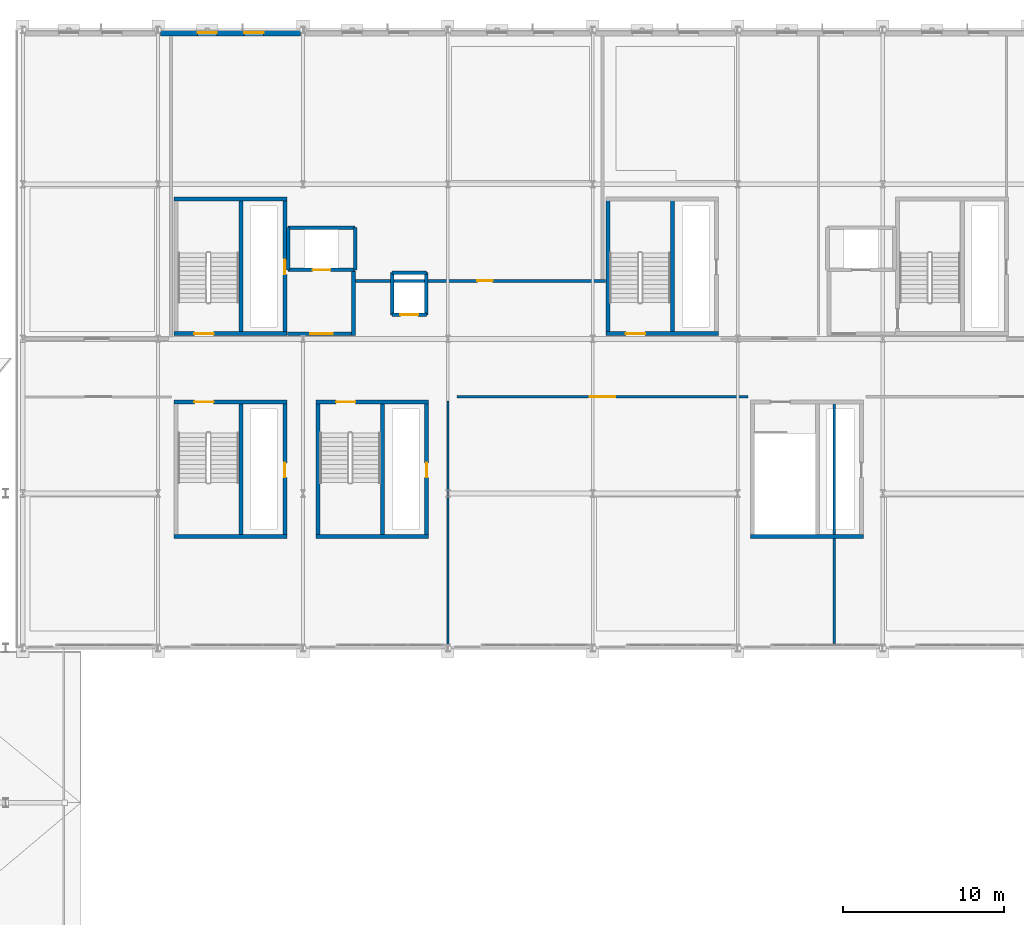
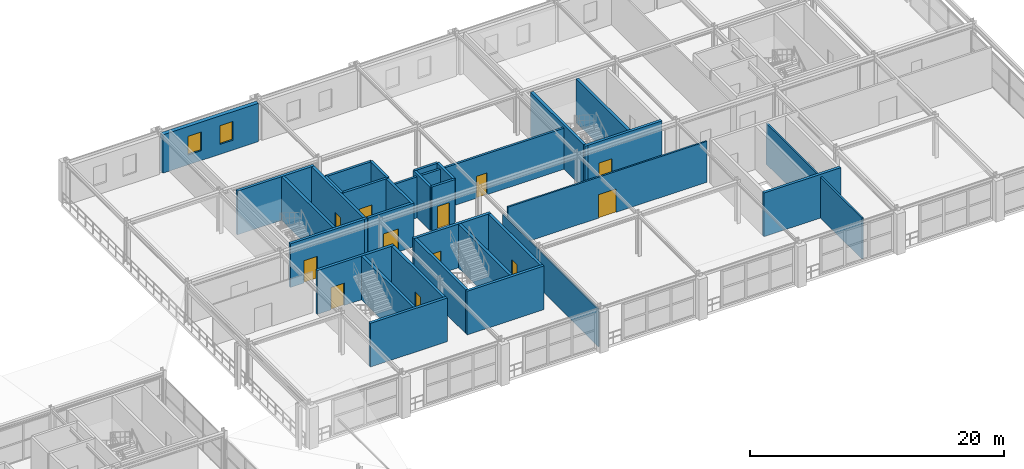
# One storey, part 51 of 81: 32 walls, 12 doors, 2 windows, 14 openings.
"""IFC4 building model written with IfcOpenShell, lengths in metres."""

from ifc_helpers import new_model, si_unit, direction, frame, frame_2d, origin, place, context, subcontext, project, spatial, rectangle, extrude, material, layer, layer_set, type_object, element, fill, save


model = new_model("IFC4")

# Units and contexts
model_context = context("Model", 3, precision=1e-05, world=origin(), true_north=direction((0.0, 1.0)))
body_context = subcontext(model_context, "Body", "Model", "MODEL_VIEW")
ifc_project = project(units=[si_unit("LENGTHUNIT", "METRE"), si_unit("AREAUNIT", "SQUARE_METRE"), si_unit("VOLUMEUNIT", "CUBIC_METRE"), si_unit("PLANEANGLEUNIT", "RADIAN"), si_unit("MASSUNIT", "GRAM", prefix="KILO")], contexts=[model_context])

# Site, building, storey
site_placement = place(None, origin())
site = spatial("IfcSite", under=ifc_project, at=site_placement, CompositionType="ELEMENT")
building_placement = place(site_placement, origin())
building = spatial("IfcBuilding", under=site, at=building_placement, Name="Myrtia Square Station", CompositionType="ELEMENT")
storey_placement = place(building_placement, frame((0.0, 0.0, 10.800048828125)))
storey = spatial("IfcBuildingStorey", under=building, at=storey_placement, Name="L02", CompositionType="ELEMENT", Elevation=10.800048828125)

# Wall, opening, door
ifc_material_1 = material(Name="Concrete C35/45", Category="concrete")
ifc_layer_1 = layer(ifc_material_1, 0.25, Name="Concrete C35/45")
ifc_layer_set_1 = layer_set([ifc_layer_1], Name="Concrete C35/45")
wall_type_1 = type_object("IfcWallType", Name="WL-CORE-250", PredefinedType="SHEAR", material=ifc_layer_set_1)
wall_1_placement = place(storey_placement, frame((127.0, 105.925048828125, 0.0), z_axis=(0.0, 0.0, 1.0), x_axis=(1.0, 0.0, 0.0)))
wall_1 = element("IfcWall", 1, at=wall_1_placement, inside=storey, type_object=wall_type_1, Name="Core K7 shear wall L02 S", PredefinedType="SHEAR", context=body_context, shape_type="SweptSolid", body=[
    extrude(rectangle(XDim=7.0, YDim=0.25, at=frame_2d((3.5, 0.0))), origin(), (0.0, 0.0, 1.0), 4.199951171875),
])
opening_1_placement = place(wall_1_placement, frame((1.25, 0.0, 0.0)))
opening_1 = element("IfcOpeningElement", 2, at=opening_1_placement, cuts=wall_1, Name="Opening SD-116", PredefinedType="OPENING", context=body_context, shape_type="SweptSolid", body=[
    extrude(rectangle(XDim=1.199951171875, YDim=2.14990234375, at=frame_2d((0.60009765625, 1.074951171875))), frame((0.0, 0.139892578125, 0.0), z_axis=(0.0, -1.0, 0.0), x_axis=(1.0, 0.0, 0.0)), (0.0, 0.0, 1.0), 0.280029296875),
])
ifc_material_2 = material(Name="Dark bronze anodised aluminium", Category="aluminium")
door_type_1 = type_object("IfcDoorType", Name="DR-STAIR-1200x2150", OperationType="NOTDEFINED", PredefinedType="DOOR", material=ifc_material_2)
door_1_placement = place(opening_1_placement, origin())
door_1 = element("IfcDoor", 3, at=door_1_placement, inside=storey, type_object=door_type_1, Name="Protected stair fire door K7 L02", OperationType="SINGLE_SWING_RIGHT", OverallHeight=2.14990234375, OverallWidth=1.199951171875, PredefinedType="DOOR", context=body_context, shape_type="SweptSolid", body=[
    extrude(rectangle(XDim=1.199951171875, YDim=2.14990234375, at=frame_2d((0.60009765625, 1.074951171875))), frame((0.0, 0.02490234375, 0.0), z_axis=(0.0, -1.0, 0.0), x_axis=(1.0, 0.0, 0.0)), (0.0, 0.0, 1.0), 0.050048828125),
])
fill(opening_1, door_1)

# Wall
wall_2_placement = place(storey_placement, frame((127.0, 114.27490234375, 0.0), z_axis=(0.0, 0.0, 1.0), x_axis=(1.0, 0.0, 0.0)))
element("IfcWall", 4, at=wall_2_placement, inside=storey, type_object=wall_type_1, Name="Core K7 shear wall L02 N", PredefinedType="SHEAR", context=body_context, shape_type="SweptSolid", body=[
    extrude(rectangle(XDim=7.0, YDim=0.25, at=frame_2d((3.5, 0.0))), origin(), (0.0, 0.0, 1.0), 4.199951171875),
])

# Wall, opening, door
wall_3_placement = place(storey_placement, frame((133.875, 105.800048828125, 0.0), z_axis=(0.0, 0.0, 1.0), x_axis=(0.0, 1.0, 0.0)))
wall_3 = element("IfcWall", 5, at=wall_3_placement, inside=storey, type_object=wall_type_1, Name="Core K7 shear wall L02 E", PredefinedType="SHEAR", context=body_context, shape_type="SweptSolid", body=[
    extrude(rectangle(XDim=8.599853515625, YDim=0.25, at=frame_2d((4.2998046875, 0.0))), origin(), (0.0, 0.0, 1.0), 4.199951171875),
])
opening_2_placement = place(wall_3_placement, frame((3.800048828125, 0.0, 0.0)))
opening_2 = element("IfcOpeningElement", 6, at=opening_2_placement, cuts=wall_3, Name="Opening RD-117", PredefinedType="OPENING", context=body_context, shape_type="SweptSolid", body=[
    extrude(rectangle(XDim=0.89990234375, YDim=2.050048828125, at=frame_2d((0.449951171875, 1.02490234375))), frame((0.0, 0.139892578125, 0.0), z_axis=(0.0, -1.0, 0.0), x_axis=(1.0, 0.0, 0.0)), (0.0, 0.0, 1.0), 0.280029296875),
])
door_type_2 = type_object("IfcDoorType", Name="DR-RISER-900x2050", OperationType="NOTDEFINED", PredefinedType="DOOR", material=ifc_material_2)
door_2_placement = place(opening_2_placement, origin())
door_2 = element("IfcDoor", 7, at=door_2_placement, inside=storey, type_object=door_type_2, Name="Riser cupboard access door K7 L02", OperationType="SINGLE_SWING_LEFT", OverallHeight=2.050048828125, OverallWidth=0.89990234375, PredefinedType="DOOR", context=body_context, shape_type="SweptSolid", body=[
    extrude(rectangle(XDim=0.89990234375, YDim=2.050048828125, at=frame_2d((0.449951171875, 1.02490234375))), frame((0.0, 0.02490234375, 0.0), z_axis=(0.0, -1.0, 0.0), x_axis=(1.0, 0.0, 0.0)), (0.0, 0.0, 1.0), 0.050048828125),
])
fill(opening_2, door_2)

# Walls
wall_4_placement = place(storey_placement, frame((131.139892578125, 106.0, 0.0), z_axis=(0.0, 0.0, 1.0), x_axis=(0.0, 1.0, 0.0)))
element("IfcWall", 8, at=wall_4_placement, inside=storey, type_object=wall_type_1, Name="Core K7 shear wall L02 D", PredefinedType="SHEAR", context=body_context, shape_type="SweptSolid", body=[
    extrude(rectangle(XDim=8.199951171875, YDim=0.25, at=frame_2d((4.10009765625, 0.0))), origin(), (0.0, 0.0, 1.0), 4.199951171875),
])
wall_5_placement = place(storey_placement, frame((127.0, 93.324951171875, 0.0), z_axis=(0.0, 0.0, 1.0), x_axis=(1.0, 0.0, 0.0)))
element("IfcWall", 9, at=wall_5_placement, inside=storey, type_object=wall_type_1, Name="Core K12 shear wall L02 S", PredefinedType="SHEAR", context=body_context, shape_type="SweptSolid", body=[
    extrude(rectangle(XDim=7.0, YDim=0.25, at=frame_2d((3.5, 0.0))), origin(), (0.0, 0.0, 1.0), 4.199951171875),
])

# Wall, opening, door
wall_6_placement = place(storey_placement, frame((127.0, 101.675048828125, 0.0), z_axis=(0.0, 0.0, 1.0), x_axis=(1.0, 0.0, 0.0)))
wall_6 = element("IfcWall", 10, at=wall_6_placement, inside=storey, type_object=wall_type_1, Name="Core K12 shear wall L02 N", PredefinedType="SHEAR", context=body_context, shape_type="SweptSolid", body=[
    extrude(rectangle(XDim=7.0, YDim=0.25, at=frame_2d((3.5, 0.0))), origin(), (0.0, 0.0, 1.0), 4.199951171875),
])
opening_3_placement = place(wall_6_placement, frame((1.25, 0.0, 0.0)))
opening_3 = element("IfcOpeningElement", 11, at=opening_3_placement, cuts=wall_6, Name="Opening SD-149", PredefinedType="OPENING", context=body_context, shape_type="SweptSolid", body=[
    extrude(rectangle(XDim=1.199951171875, YDim=2.14990234375, at=frame_2d((0.60009765625, 1.074951171875))), frame((0.0, 0.139892578125, 0.0), z_axis=(0.0, -1.0, 0.0), x_axis=(1.0, 0.0, 0.0)), (0.0, 0.0, 1.0), 0.280029296875),
])
door_3_placement = place(opening_3_placement, frame((1.199951171875, 0.0, 0.0), z_axis=(0.0, 0.0, 1.0), x_axis=(-1.0, 0.0, 0.0)))
door_3 = element("IfcDoor", 12, at=door_3_placement, inside=storey, type_object=door_type_1, Name="Protected stair fire door K12 L02", OperationType="SINGLE_SWING_LEFT", OverallHeight=2.14990234375, OverallWidth=1.199951171875, PredefinedType="DOOR", context=body_context, shape_type="SweptSolid", body=[
    extrude(rectangle(XDim=1.199951171875, YDim=2.14990234375, at=frame_2d((0.60009765625, 1.074951171875))), frame((0.0, 0.02490234375, 0.0), z_axis=(0.0, -1.0, 0.0), x_axis=(1.0, 0.0, 0.0)), (0.0, 0.0, 1.0), 0.050048828125),
])
fill(opening_3, door_3)

wall_7_placement = place(storey_placement, frame((133.875, 93.199951171875, 0.0), z_axis=(0.0, 0.0, 1.0), x_axis=(0.0, 1.0, 0.0)))
wall_7 = element("IfcWall", 13, at=wall_7_placement, inside=storey, type_object=wall_type_1, Name="Core K12 shear wall L02 E", PredefinedType="SHEAR", context=body_context, shape_type="SweptSolid", body=[
    extrude(rectangle(XDim=8.60009765625, YDim=0.25, at=frame_2d((4.300048828125, 0.0))), origin(), (0.0, 0.0, 1.0), 4.199951171875),
])
opening_4_placement = place(wall_7_placement, frame((3.800048828125, 0.0, 0.0)))
opening_4 = element("IfcOpeningElement", 14, at=opening_4_placement, cuts=wall_7, Name="Opening RD-150", PredefinedType="OPENING", context=body_context, shape_type="SweptSolid", body=[
    extrude(rectangle(XDim=0.89990234375, YDim=2.050048828125, at=frame_2d((0.449951171875, 1.02490234375))), frame((0.0, 0.139892578125, 0.0), z_axis=(0.0, -1.0, 0.0), x_axis=(1.0, 0.0, 0.0)), (0.0, 0.0, 1.0), 0.280029296875),
])
door_4_placement = place(opening_4_placement, origin())
door_4 = element("IfcDoor", 15, at=door_4_placement, inside=storey, type_object=door_type_2, Name="Riser cupboard access door K12 L02", OperationType="SINGLE_SWING_RIGHT", OverallHeight=2.050048828125, OverallWidth=0.89990234375, PredefinedType="DOOR", context=body_context, shape_type="SweptSolid", body=[
    extrude(rectangle(XDim=0.89990234375, YDim=2.050048828125, at=frame_2d((0.449951171875, 1.02490234375))), frame((0.0, 0.02490234375, 0.0), z_axis=(0.0, -1.0, 0.0), x_axis=(1.0, 0.0, 0.0)), (0.0, 0.0, 1.0), 0.050048828125),
])
fill(opening_4, door_4)

# Walls
wall_8_placement = place(storey_placement, frame((131.139892578125, 93.39990234375, 0.0), z_axis=(0.0, 0.0, 1.0), x_axis=(0.0, 1.0, 0.0)))
element("IfcWall", 16, at=wall_8_placement, inside=storey, type_object=wall_type_1, Name="Core K12 shear wall L02 D", PredefinedType="SHEAR", context=body_context, shape_type="SweptSolid", body=[
    extrude(rectangle(XDim=8.2001953125, YDim=0.25, at=frame_2d((4.10009765625, 0.0))), origin(), (0.0, 0.0, 1.0), 4.199951171875),
])
wall_9_placement = place(storey_placement, frame((135.800048828125, 93.324951171875, 0.0), z_axis=(0.0, 0.0, 1.0), x_axis=(1.0, 0.0, 0.0)))
element("IfcWall", 17, at=wall_9_placement, inside=storey, type_object=wall_type_1, Name="Core K13 shear wall L02 S", PredefinedType="SHEAR", context=body_context, shape_type="SweptSolid", body=[
    extrude(rectangle(XDim=7.0, YDim=0.25, at=frame_2d((3.5, 0.0))), origin(), (0.0, 0.0, 1.0), 4.199951171875),
])

# Wall, opening, door
wall_10_placement = place(storey_placement, frame((135.800048828125, 101.675048828125, 0.0), z_axis=(0.0, 0.0, 1.0), x_axis=(1.0, 0.0, 0.0)))
wall_10 = element("IfcWall", 18, at=wall_10_placement, inside=storey, type_object=wall_type_1, Name="Core K13 shear wall L02 N", PredefinedType="SHEAR", context=body_context, shape_type="SweptSolid", body=[
    extrude(rectangle(XDim=7.0, YDim=0.25, at=frame_2d((3.5, 0.0))), origin(), (0.0, 0.0, 1.0), 4.199951171875),
])
opening_5_placement = place(wall_10_placement, frame((1.25, 0.0, 0.0)))
opening_5 = element("IfcOpeningElement", 19, at=opening_5_placement, cuts=wall_10, Name="Opening SD-159", PredefinedType="OPENING", context=body_context, shape_type="SweptSolid", body=[
    extrude(rectangle(XDim=1.199951171875, YDim=2.14990234375, at=frame_2d((0.60009765625, 1.074951171875))), frame((0.0, 0.139892578125, 0.0), z_axis=(0.0, -1.0, 0.0), x_axis=(1.0, 0.0, 0.0)), (0.0, 0.0, 1.0), 0.280029296875),
])
door_5_placement = place(opening_5_placement, frame((1.199951171875, 0.0, 0.0), z_axis=(0.0, 0.0, 1.0), x_axis=(-1.0, 0.0, 0.0)))
door_5 = element("IfcDoor", 20, at=door_5_placement, inside=storey, type_object=door_type_1, Name="Protected stair fire door K13 L02", OperationType="SINGLE_SWING_LEFT", OverallHeight=2.14990234375, OverallWidth=1.199951171875, PredefinedType="DOOR", context=body_context, shape_type="SweptSolid", body=[
    extrude(rectangle(XDim=1.199951171875, YDim=2.14990234375, at=frame_2d((0.60009765625, 1.074951171875))), frame((0.0, 0.02490234375, 0.0), z_axis=(0.0, -1.0, 0.0), x_axis=(1.0, 0.0, 0.0)), (0.0, 0.0, 1.0), 0.050048828125),
])
fill(opening_5, door_5)

# Wall
wall_11_placement = place(storey_placement, frame((135.925048828125, 93.199951171875, 0.0), z_axis=(0.0, 0.0, 1.0), x_axis=(0.0, 1.0, 0.0)))
element("IfcWall", 21, at=wall_11_placement, inside=storey, type_object=wall_type_1, Name="Core K13 shear wall L02 W", PredefinedType="SHEAR", context=body_context, shape_type="SweptSolid", body=[
    extrude(rectangle(XDim=8.60009765625, YDim=0.25, at=frame_2d((4.300048828125, 0.0))), origin(), (0.0, 0.0, 1.0), 4.199951171875),
])

# Wall, opening, door
wall_12_placement = place(storey_placement, frame((142.675048828125, 93.199951171875, 0.0), z_axis=(0.0, 0.0, 1.0), x_axis=(0.0, 1.0, 0.0)))
wall_12 = element("IfcWall", 22, at=wall_12_placement, inside=storey, type_object=wall_type_1, Name="Core K13 shear wall L02 E", PredefinedType="SHEAR", context=body_context, shape_type="SweptSolid", body=[
    extrude(rectangle(XDim=8.60009765625, YDim=0.25, at=frame_2d((4.300048828125, 0.0))), origin(), (0.0, 0.0, 1.0), 4.199951171875),
])
opening_6_placement = place(wall_12_placement, frame((3.800048828125, 0.0, 0.0)))
opening_6 = element("IfcOpeningElement", 23, at=opening_6_placement, cuts=wall_12, Name="Opening RD-160", PredefinedType="OPENING", context=body_context, shape_type="SweptSolid", body=[
    extrude(rectangle(XDim=0.89990234375, YDim=2.050048828125, at=frame_2d((0.449951171875, 1.02490234375))), frame((0.0, 0.139892578125, 0.0), z_axis=(0.0, -1.0, 0.0), x_axis=(1.0, 0.0, 0.0)), (0.0, 0.0, 1.0), 0.280029296875),
])
door_6_placement = place(opening_6_placement, origin())
door_6 = element("IfcDoor", 24, at=door_6_placement, inside=storey, type_object=door_type_2, Name="Riser cupboard access door K13 L02", OperationType="SINGLE_SWING_RIGHT", OverallHeight=2.050048828125, OverallWidth=0.89990234375, PredefinedType="DOOR", context=body_context, shape_type="SweptSolid", body=[
    extrude(rectangle(XDim=0.89990234375, YDim=2.050048828125, at=frame_2d((0.449951171875, 1.02490234375))), frame((0.0, 0.02490234375, 0.0), z_axis=(0.0, -1.0, 0.0), x_axis=(1.0, 0.0, 0.0)), (0.0, 0.0, 1.0), 0.050048828125),
])
fill(opening_6, door_6)

# Wall
wall_13_placement = place(storey_placement, frame((139.93994140625, 93.39990234375, 0.0), z_axis=(0.0, 0.0, 1.0), x_axis=(0.0, 1.0, 0.0)))
element("IfcWall", 25, at=wall_13_placement, inside=storey, type_object=wall_type_1, Name="Core K13 shear wall L02 D", PredefinedType="SHEAR", context=body_context, shape_type="SweptSolid", body=[
    extrude(rectangle(XDim=8.2001953125, YDim=0.25, at=frame_2d((4.10009765625, 0.0))), origin(), (0.0, 0.0, 1.0), 4.199951171875),
])

# Wall, opening, door
wall_14_placement = place(storey_placement, frame((153.800048828125, 105.925048828125, 0.0), z_axis=(0.0, 0.0, 1.0), x_axis=(1.0, 0.0, 0.0)))
wall_14 = element("IfcWall", 26, at=wall_14_placement, inside=storey, type_object=wall_type_1, Name="Core K15 shear wall L02 S", PredefinedType="SHEAR", context=body_context, shape_type="SweptSolid", body=[
    extrude(rectangle(XDim=7.0, YDim=0.25, at=frame_2d((3.5, 0.0))), origin(), (0.0, 0.0, 1.0), 4.199951171875),
])
opening_7_placement = place(wall_14_placement, frame((1.25, 0.0, 0.0)))
opening_7 = element("IfcOpeningElement", 27, at=opening_7_placement, cuts=wall_14, Name="Opening SD-169", PredefinedType="OPENING", context=body_context, shape_type="SweptSolid", body=[
    extrude(rectangle(XDim=1.199951171875, YDim=2.14990234375, at=frame_2d((0.60009765625, 1.074951171875))), frame((0.0, 0.139892578125, 0.0), z_axis=(0.0, -1.0, 0.0), x_axis=(1.0, 0.0, 0.0)), (0.0, 0.0, 1.0), 0.280029296875),
])
door_7_placement = place(opening_7_placement, origin())
door_7 = element("IfcDoor", 28, at=door_7_placement, inside=storey, type_object=door_type_1, Name="Protected stair fire door K15 L02", OperationType="SINGLE_SWING_LEFT", OverallHeight=2.14990234375, OverallWidth=1.199951171875, PredefinedType="DOOR", context=body_context, shape_type="SweptSolid", body=[
    extrude(rectangle(XDim=1.199951171875, YDim=2.14990234375, at=frame_2d((0.60009765625, 1.074951171875))), frame((0.0, 0.02490234375, 0.0), z_axis=(0.0, -1.0, 0.0), x_axis=(1.0, 0.0, 0.0)), (0.0, 0.0, 1.0), 0.050048828125),
])
fill(opening_7, door_7)

# Walls
wall_15_placement = place(storey_placement, frame((153.925048828125, 105.800048828125, 0.0), z_axis=(0.0, 0.0, 1.0), x_axis=(0.0, 1.0, 0.0)))
element("IfcWall", 29, at=wall_15_placement, inside=storey, type_object=wall_type_1, Name="Core K15 shear wall L02 W", PredefinedType="SHEAR", context=body_context, shape_type="SweptSolid", body=[
    extrude(rectangle(XDim=8.599853515625, YDim=0.25, at=frame_2d((4.2998046875, 0.0))), origin(), (0.0, 0.0, 1.0), 4.199951171875),
])
wall_16_placement = place(storey_placement, frame((157.93994140625, 106.0, 0.0), z_axis=(0.0, 0.0, 1.0), x_axis=(0.0, 1.0, 0.0)))
element("IfcWall", 30, at=wall_16_placement, inside=storey, type_object=wall_type_1, Name="Core K15 shear wall L02 D", PredefinedType="SHEAR", context=body_context, shape_type="SweptSolid", body=[
    extrude(rectangle(XDim=8.199951171875, YDim=0.25, at=frame_2d((4.10009765625, 0.0))), origin(), (0.0, 0.0, 1.0), 4.199951171875),
])
wall_17_placement = place(storey_placement, frame((162.800048828125, 93.324951171875, 0.0), z_axis=(0.0, 0.0, 1.0), x_axis=(1.0, 0.0, 0.0)))
element("IfcWall", 31, at=wall_17_placement, inside=storey, type_object=wall_type_1, Name="Core K16 shear wall L02 S", PredefinedType="SHEAR", context=body_context, shape_type="SweptSolid", body=[
    extrude(rectangle(XDim=7.0, YDim=0.25, at=frame_2d((3.5, 0.0))), origin(), (0.0, 0.0, 1.0), 4.199951171875),
])

# Wall, openings, windows
ifc_material_3 = material(Name="Cream lime stucco on clay brick masonry", Category="masonry")
ifc_layer_2 = layer(ifc_material_3, 0.360107421875, Name="Cream lime stucco on clay brick masonry")
ifc_layer_set_2 = layer_set([ifc_layer_2], Name="Cream lime stucco on clay brick masonry")
wall_type_2 = type_object("IfcWallType", Name="WL-EXT-STUCCO-360", PredefinedType="SOLIDWALL", material=ifc_layer_set_2)
wall_18_placement = place(storey_placement, frame((126.155029296875, 124.60009765625, 0.0), z_axis=(0.0, 0.0, 1.0), x_axis=(1.0, 0.0, 0.0)))
wall_18 = element("IfcWall", 32, at=wall_18_placement, inside=storey, type_object=wall_type_2, Name="Exterior envelope wall EW-L02-0121", PredefinedType="SOLIDWALL", context=body_context, shape_type="SweptSolid", body=[
    extrude(rectangle(XDim=8.68994140625, YDim=0.360107421875, at=frame_2d((4.344970703125, 0.0))), origin(), (0.0, 0.0, 1.0), 3.68994140625),
])
opening_8_placement = place(wall_18_placement, frame((2.297119140625, 0.0, 0.949951171875)))
opening_8 = element("IfcOpeningElement", 33, at=opening_8_placement, cuts=wall_18, Name="Opening WN-135", PredefinedType="OPENING", context=body_context, shape_type="SweptSolid", body=[
    extrude(rectangle(XDim=1.199951171875, YDim=1.800048828125, at=frame_2d((0.60009765625, 0.89990234375))), frame((0.0, 0.195068359375, 0.0), z_axis=(0.0, -1.0, 0.0), x_axis=(1.0, 0.0, 0.0)), (0.0, 0.0, 1.0), 0.39013671875),
])
opening_9_placement = place(wall_18_placement, frame((5.193115234375, 0.0, 0.949951171875)))
opening_9 = element("IfcOpeningElement", 34, at=opening_9_placement, cuts=wall_18, Name="Opening WN-136", PredefinedType="OPENING", context=body_context, shape_type="SweptSolid", body=[
    extrude(rectangle(XDim=1.199951171875, YDim=1.800048828125, at=frame_2d((0.60009765625, 0.89990234375))), frame((0.0, 0.195068359375, 0.0), z_axis=(0.0, -1.0, 0.0), x_axis=(1.0, 0.0, 0.0)), (0.0, 0.0, 1.0), 0.39013671875),
])
ifc_material_4 = material(Name="Tinted low-E solar control glass", Category="glass")
window_type = type_object("IfcWindowType", Name="WN-OPS-1200x1800", PartitioningType="SINGLE_PANEL", PredefinedType="WINDOW", material=ifc_material_4)
window_1_placement = place(opening_8_placement, origin())
window_1 = element("IfcWindow", 35, at=window_1_placement, inside=storey, type_object=window_type, Name="Window WN-135", OverallHeight=1.800048828125, OverallWidth=1.199951171875, PartitioningType="SINGLE_PANEL", PredefinedType="WINDOW", context=body_context, shape_type="SweptSolid", body=[
    extrude(rectangle(XDim=1.199951171875, YDim=1.800048828125, at=frame_2d((0.60009765625, 0.89990234375))), frame((0.0, 0.030029296875, 0.0), z_axis=(0.0, -1.0, 0.0), x_axis=(1.0, 0.0, 0.0)), (0.0, 0.0, 1.0), 0.06005859375),
])
fill(opening_8, window_1)
window_2_placement = place(opening_9_placement, origin())
window_2 = element("IfcWindow", 36, at=window_2_placement, inside=storey, type_object=window_type, Name="Window WN-136", OverallHeight=1.800048828125, OverallWidth=1.199951171875, PartitioningType="SINGLE_PANEL", PredefinedType="WINDOW", context=body_context, shape_type="SweptSolid", body=[
    extrude(rectangle(XDim=1.199951171875, YDim=1.800048828125, at=frame_2d((0.60009765625, 0.89990234375))), frame((0.0, 0.030029296875, 0.0), z_axis=(0.0, -1.0, 0.0), x_axis=(1.0, 0.0, 0.0)), (0.0, 0.0, 1.0), 0.06005859375),
])
fill(opening_9, window_2)

# Wall
ifc_layer_3 = layer(ifc_material_1, 0.239990234375, Name="Concrete C35/45")
ifc_layer_set_3 = layer_set([ifc_layer_3], Name="Concrete C35/45")
wall_type_3 = type_object("IfcWallType", Name="WL-FFL-240", PredefinedType="SHEAR", material=ifc_layer_set_3)
wall_19_placement = place(storey_placement, frame((138.1298828125, 105.800048828125, 0.0), z_axis=(0.0, 0.0, 1.0), x_axis=(0.0, 1.0, 0.0)))
element("IfcWall", 37, at=wall_19_placement, inside=storey, type_object=wall_type_3, Name="Firefighting lift lobby EI 120 wall K7 L02 E", PredefinedType="SHEAR", context=body_context, shape_type="SweptSolid", body=[
    extrude(rectangle(XDim=4.0, YDim=0.239990234375, at=frame_2d((2.0, 0.0))), origin(), (0.0, 0.0, 1.0), 4.199951171875),
])

# Wall, opening, door
wall_20_placement = place(storey_placement, frame((134.050048828125, 105.919921875, 0.0), z_axis=(0.0, 0.0, 1.0), x_axis=(1.0, 0.0, 0.0)))
wall_20 = element("IfcWall", 38, at=wall_20_placement, inside=storey, type_object=wall_type_3, Name="Firefighting lift lobby EI 120 wall K7 L02 S", PredefinedType="SHEAR", context=body_context, shape_type="SweptSolid", body=[
    extrude(rectangle(XDim=4.199951171875, YDim=0.239990234375, at=frame_2d((2.10009765625, 0.0))), origin(), (0.0, 0.0, 1.0), 4.199951171875),
])
opening_10_placement = place(wall_20_placement, frame((1.39990234375, 0.0, 0.0)))
opening_10 = element("IfcOpeningElement", 39, at=opening_10_placement, cuts=wall_20, Name="Opening FD-118", PredefinedType="OPENING", context=body_context, shape_type="SweptSolid", body=[
    extrude(rectangle(XDim=1.39990234375, YDim=2.199951171875, at=frame_2d((0.699951171875, 1.10009765625))), frame((0.0, 0.135009765625, 0.0), z_axis=(0.0, -1.0, 0.0), x_axis=(1.0, 0.0, 0.0)), (0.0, 0.0, 1.0), 0.27001953125),
])
door_type_3 = type_object("IfcDoorType", Name="DR-FFL-1400x2200", OperationType="NOTDEFINED", PredefinedType="DOOR", material=ifc_material_2)
door_8_placement = place(opening_10_placement, frame((1.39990234375, 0.0, 0.0), z_axis=(0.0, 0.0, 1.0), x_axis=(-1.0, 0.0, 0.0)))
door_8 = element("IfcDoor", 40, at=door_8_placement, inside=storey, type_object=door_type_3, Name="Firefighting lobby fire door K7 L02", OperationType="SINGLE_SWING_RIGHT", OverallHeight=2.199951171875, OverallWidth=1.39990234375, PredefinedType="DOOR", context=body_context, shape_type="SweptSolid", body=[
    extrude(rectangle(XDim=1.39990234375, YDim=2.199951171875, at=frame_2d((0.699951171875, 1.10009765625))), frame((0.0, 0.02490234375, 0.0), z_axis=(0.0, -1.0, 0.0), x_axis=(1.0, 0.0, 0.0)), (0.0, 0.0, 1.0), 0.050048828125),
])
fill(opening_10, door_8)

ifc_layer_4 = layer(ifc_material_1, 0.219970703125, Name="Concrete C35/45")
ifc_layer_set_4 = layer_set([ifc_layer_4], Name="Concrete C35/45")
wall_type_4 = type_object("IfcWallType", Name="WL-LIFT-220", PredefinedType="SHEAR", material=ifc_layer_set_4)
wall_21_placement = place(storey_placement, frame((140.5400390625, 107.090087890625, 0.0), z_axis=(0.0, 0.0, 1.0), x_axis=(1.0, 0.0, 0.0)))
wall_21 = element("IfcWall", 41, at=wall_21_placement, inside=storey, type_object=wall_type_4, Name="Lift shaft wall PL-08 L02 -Y", PredefinedType="SHEAR", context=body_context, shape_type="SweptSolid", body=[
    extrude(rectangle(XDim=2.119873046875, YDim=0.219970703125, at=frame_2d((1.06005859375, 0.0))), origin(), (0.0, 0.0, 1.0), 4.199951171875),
])
opening_11_placement = place(wall_21_placement, frame((0.510009765625, 0.0, 0.0)))
opening_11 = element("IfcOpeningElement", 42, at=opening_11_placement, cuts=wall_21, Name="Opening LD-PL-08", PredefinedType="OPENING", context=body_context, shape_type="SweptSolid", body=[
    extrude(rectangle(XDim=1.10009765625, YDim=2.14990234375, at=frame_2d((0.550048828125, 1.074951171875))), frame((0.0, 0.125, 0.0), z_axis=(0.0, -1.0, 0.0), x_axis=(1.0, 0.0, 0.0)), (0.0, 0.0, 1.0), 0.25),
])
door_type_4 = type_object("IfcDoorType", Name="DR-LIFT-1100x2150", OperationType="NOTDEFINED", PredefinedType="DOOR", material=ifc_material_2)
door_9_placement = place(opening_11_placement, origin())
door_9 = element("IfcDoor", 43, at=door_9_placement, inside=storey, type_object=door_type_4, Name="Lift landing door PL-08 L02", OperationType="SLIDING_TO_LEFT", OverallHeight=2.14990234375, OverallWidth=1.10009765625, PredefinedType="DOOR", context=body_context, shape_type="SweptSolid", body=[
    extrude(rectangle(XDim=1.10009765625, YDim=2.14990234375, at=frame_2d((0.550048828125, 1.074951171875))), frame((0.0, 0.02490234375, 0.0), z_axis=(0.0, -1.0, 0.0), x_axis=(1.0, 0.0, 0.0)), (0.0, 0.0, 1.0), 0.050048828125),
])
fill(opening_11, door_9)

# Walls
wall_22_placement = place(storey_placement, frame((140.5400390625, 109.7099609375, 0.0), z_axis=(0.0, 0.0, 1.0), x_axis=(1.0, 0.0, 0.0)))
element("IfcWall", 44, at=wall_22_placement, inside=storey, type_object=wall_type_4, Name="Lift shaft wall PL-08 L02 +Y", PredefinedType="SHEAR", context=body_context, shape_type="SweptSolid", body=[
    extrude(rectangle(XDim=2.119873046875, YDim=0.219970703125, at=frame_2d((1.06005859375, 0.0))), origin(), (0.0, 0.0, 1.0), 4.199951171875),
])
for number, where, z_axis, x_axis, name in (
    (45, (140.5400390625, 107.090087890625, 0.0), (0.0, 0.0, 1.0), (0.0, 1.0, 0.0), "Lift shaft wall PL-08 L02 -X"),
    (46, (142.659912109375, 107.090087890625, 0.0), (0.0, 0.0, 1.0), (0.0, 1.0, 0.0), "Lift shaft wall PL-08 L02 +X"),
):
    element("IfcWall", number, at=place(storey_placement, frame(where, z_axis=z_axis, x_axis=x_axis)), inside=storey, type_object=wall_type_4, Name=name, PredefinedType="SHEAR", context=body_context, shape_type="SweptSolid", body=[
        extrude(rectangle(XDim=2.619873046875, YDim=0.219970703125, at=frame_2d((1.31005859375, 0.0))), origin(), (0.0, 0.0, 1.0), 4.199951171875),
    ])

# Wall, opening, door
wall_23_placement = place(storey_placement, frame((134.070068359375, 109.8798828125, 0.0), z_axis=(0.0, 0.0, 1.0), x_axis=(1.0, 0.0, 0.0)))
wall_23 = element("IfcWall", 47, at=wall_23_placement, inside=storey, type_object=wall_type_4, Name="Lift shaft wall FFL-03 L02 -Y", PredefinedType="SHEAR", context=body_context, shape_type="SweptSolid", body=[
    extrude(rectangle(XDim=4.159912109375, YDim=0.219970703125, at=frame_2d((2.080078125, 0.0))), origin(), (0.0, 0.0, 1.0), 4.199951171875),
])
opening_12_placement = place(wall_23_placement, frame((1.530029296875, 0.0, 0.0)))
opening_12 = element("IfcOpeningElement", 48, at=opening_12_placement, cuts=wall_23, Name="Opening LD-FFL-03", PredefinedType="OPENING", context=body_context, shape_type="SweptSolid", body=[
    extrude(rectangle(XDim=1.10009765625, YDim=2.14990234375, at=frame_2d((0.550048828125, 1.074951171875))), frame((0.0, 0.125, 0.0), z_axis=(0.0, -1.0, 0.0), x_axis=(1.0, 0.0, 0.0)), (0.0, 0.0, 1.0), 0.25),
])
door_10_placement = place(opening_12_placement, origin())
door_10 = element("IfcDoor", 49, at=door_10_placement, inside=storey, type_object=door_type_4, Name="Lift landing door FFL-03 L02", OperationType="SLIDING_TO_LEFT", OverallHeight=2.14990234375, OverallWidth=1.10009765625, PredefinedType="DOOR", context=body_context, shape_type="SweptSolid", body=[
    extrude(rectangle(XDim=1.10009765625, YDim=2.14990234375, at=frame_2d((0.550048828125, 1.074951171875))), frame((0.0, 0.02490234375, 0.0), z_axis=(0.0, -1.0, 0.0), x_axis=(1.0, 0.0, 0.0)), (0.0, 0.0, 1.0), 0.050048828125),
])
fill(opening_12, door_10)

# Walls
wall_24_placement = place(storey_placement, frame((134.070068359375, 112.5, 0.0), z_axis=(0.0, 0.0, 1.0), x_axis=(1.0, 0.0, 0.0)))
element("IfcWall", 50, at=wall_24_placement, inside=storey, type_object=wall_type_4, Name="Lift shaft wall FFL-03 L02 +Y", PredefinedType="SHEAR", context=body_context, shape_type="SweptSolid", body=[
    extrude(rectangle(XDim=4.159912109375, YDim=0.219970703125, at=frame_2d((2.080078125, 0.0))), origin(), (0.0, 0.0, 1.0), 4.199951171875),
])
for number, where, z_axis, x_axis, name in (
    (51, (134.070068359375, 109.8798828125, 0.0), (0.0, 0.0, 1.0), (0.0, 1.0, 0.0), "Lift shaft wall FFL-03 L02 -X"),
    (52, (138.22998046875, 109.8798828125, 0.0), (0.0, 0.0, 1.0), (0.0, 1.0, 0.0), "Lift shaft wall FFL-03 L02 +X"),
):
    element("IfcWall", number, at=place(storey_placement, frame(where, z_axis=z_axis, x_axis=x_axis)), inside=storey, type_object=wall_type_4, Name=name, PredefinedType="SHEAR", context=body_context, shape_type="SweptSolid", body=[
        extrude(rectangle(XDim=2.6201171875, YDim=0.219970703125, at=frame_2d((1.31005859375, 0.0))), origin(), (0.0, 0.0, 1.0), 4.199951171875),
    ])
ifc_material_5 = material(Name="Gypsum plasterboard")
ifc_layer_5 = layer(ifc_material_5, 0.125, Name="Gypsum plasterboard")
ifc_layer_set_5 = layer_set([ifc_layer_5], Name="Gypsum plasterboard")
wall_type_5 = type_object("IfcWallType", Name="WL-PART-125", PredefinedType="PARTITIONING", material=ifc_layer_set_5)
wall_25_placement = place(storey_placement, frame((144.0, 86.6298828125, 0.0), z_axis=(0.0, 0.0, 1.0), x_axis=(0.0, 1.0, 0.0)))
element("IfcWall", 53, at=wall_25_placement, inside=storey, type_object=wall_type_5, Name="Room divider partition L02-11", PredefinedType="PARTITIONING", context=body_context, shape_type="SweptSolid", body=[
    extrude(rectangle(XDim=15.1201171875, YDim=0.125, at=frame_2d((7.56005859375, 0.0))), origin(), (0.0, 0.0, 1.0), 3.60986328125),
])

# Wall, opening, door
ifc_layer_6 = layer(ifc_material_5, 0.14990234375, Name="Gypsum plasterboard")
ifc_layer_set_6 = layer_set([ifc_layer_6], Name="Gypsum plasterboard")
wall_type_6 = type_object("IfcWallType", Name="WL-PART-150", PredefinedType="PARTITIONING", material=ifc_layer_set_6)
wall_26_placement = place(storey_placement, frame((144.550048828125, 102.0, 0.0), z_axis=(0.0, 0.0, 1.0), x_axis=(1.0, 0.0, 0.0)))
wall_26 = element("IfcWall", 54, at=wall_26_placement, inside=storey, type_object=wall_type_6, Name="Interior partition wall L02-12", PredefinedType="PARTITIONING", context=body_context, shape_type="SweptSolid", body=[
    extrude(rectangle(XDim=18.08984375, YDim=0.14990234375, at=frame_2d((9.044921875, 0.0))), origin(), (0.0, 0.0, 1.0), 3.93994140625),
])
opening_13_placement = place(wall_26_placement, frame((8.2451171875, 0.0, 0.0)))
opening_13 = element("IfcOpeningElement", 55, at=opening_13_placement, cuts=wall_26, Name="Opening D-262", PredefinedType="OPENING", context=body_context, shape_type="SweptSolid", body=[
    extrude(rectangle(XDim=1.60009765625, YDim=2.25, at=frame_2d((0.800048828125, 1.125))), frame((0.0, 0.08984375, 0.0), z_axis=(0.0, -1.0, 0.0), x_axis=(1.0, 0.0, 0.0)), (0.0, 0.0, 1.0), 0.179931640625),
])
door_type_5 = type_object("IfcDoorType", Name="DR-CORR-1600x2250", OperationType="NOTDEFINED", PredefinedType="DOOR", material=ifc_material_2)
door_11_placement = place(opening_13_placement, origin())
door_11 = element("IfcDoor", 56, at=door_11_placement, inside=storey, type_object=door_type_5, Name="On-Board Conductors Mess and Lounge door D-262", OperationType="DOUBLE_DOOR_SINGLE_SWING", OverallHeight=2.25, OverallWidth=1.60009765625, PredefinedType="DOOR", context=body_context, shape_type="SweptSolid", body=[
    extrude(rectangle(XDim=1.60009765625, YDim=2.25, at=frame_2d((0.800048828125, 1.125))), frame((0.0, 0.02490234375, 0.0), z_axis=(0.0, -1.0, 0.0), x_axis=(1.0, 0.0, 0.0)), (0.0, 0.0, 1.0), 0.050048828125),
])
fill(opening_13, door_11)

# Wall
wall_27_placement = place(storey_placement, frame((168.0, 86.68505859375, 0.0), z_axis=(0.0, 0.0, 1.0), x_axis=(0.0, 1.0, 0.0)))
element("IfcWall", 57, at=wall_27_placement, inside=storey, type_object=wall_type_6, Name="Room divider partition L02-12", PredefinedType="PARTITIONING", context=body_context, shape_type="SweptSolid", body=[
    extrude(rectangle(XDim=15.06494140625, YDim=0.14990234375, at=frame_2d((7.532470703125, 0.0))), origin(), (0.0, 0.0, 1.0), 3.93994140625),
])

# Wall, opening, door
ifc_layer_7 = layer(ifc_material_3, 0.199951171875, Name="Cream lime stucco on clay brick masonry")
ifc_layer_set_7 = layer_set([ifc_layer_7], Name="Cream lime stucco on clay brick masonry")
wall_type_7 = type_object("IfcWallType", Name="WL-PART-200", PredefinedType="PARTITIONING", material=ifc_layer_set_7)
wall_28_placement = place(storey_placement, frame((138.2548828125, 109.199951171875, 0.0), z_axis=(0.0, 0.0, 1.0), x_axis=(1.0, 0.0, 0.0)))
wall_28 = element("IfcWall", 58, at=wall_28_placement, inside=storey, type_object=wall_type_7, Name="Interior partition wall L02-14", PredefinedType="PARTITIONING", context=body_context, shape_type="SweptSolid", body=[
    extrude(rectangle(XDim=15.5400390625, YDim=0.199951171875, at=frame_2d((7.77001953125, 0.0))), origin(), (0.0, 0.0, 1.0), 3.93994140625),
])
opening_14_placement = place(wall_28_placement, frame((7.570068359375, 0.0, 0.0)))
opening_14 = element("IfcOpeningElement", 59, at=opening_14_placement, cuts=wall_28, Name="Opening D-264", PredefinedType="OPENING", context=body_context, shape_type="SweptSolid", body=[
    extrude(rectangle(XDim=0.949951171875, YDim=2.10009765625, at=frame_2d((0.47509765625, 1.050048828125))), frame((0.0, 0.114990234375, 0.0), z_axis=(0.0, -1.0, 0.0), x_axis=(1.0, 0.0, 0.0)), (0.0, 0.0, 1.0), 0.22998046875),
])
ifc_material_6 = material(Name="Acoustic European oak timber", Category="wood")
door_type_6 = type_object("IfcDoorType", Name="DR-WC-950x2100", OperationType="NOTDEFINED", PredefinedType="DOOR", material=ifc_material_6)
door_12_placement = place(opening_14_placement, frame((0.949951171875, 0.0, 0.0), z_axis=(0.0, 0.0, 1.0), x_axis=(-1.0, 0.0, 0.0)))
door_12 = element("IfcDoor", 60, at=door_12_placement, inside=storey, type_object=door_type_6, Name="Train Crew Locker and Shower Suite West door D-264", OperationType="SINGLE_SWING_LEFT", OverallHeight=2.10009765625, OverallWidth=0.949951171875, PredefinedType="DOOR", context=body_context, shape_type="SweptSolid", body=[
    extrude(rectangle(XDim=0.949951171875, YDim=2.10009765625, at=frame_2d((0.47509765625, 1.050048828125))), frame((0.0, 0.02490234375, 0.0), z_axis=(0.0, -1.0, 0.0), x_axis=(1.0, 0.0, 0.0)), (0.0, 0.0, 1.0), 0.050048828125),
])
fill(opening_14, door_12)

save(model, "model.ifc")
